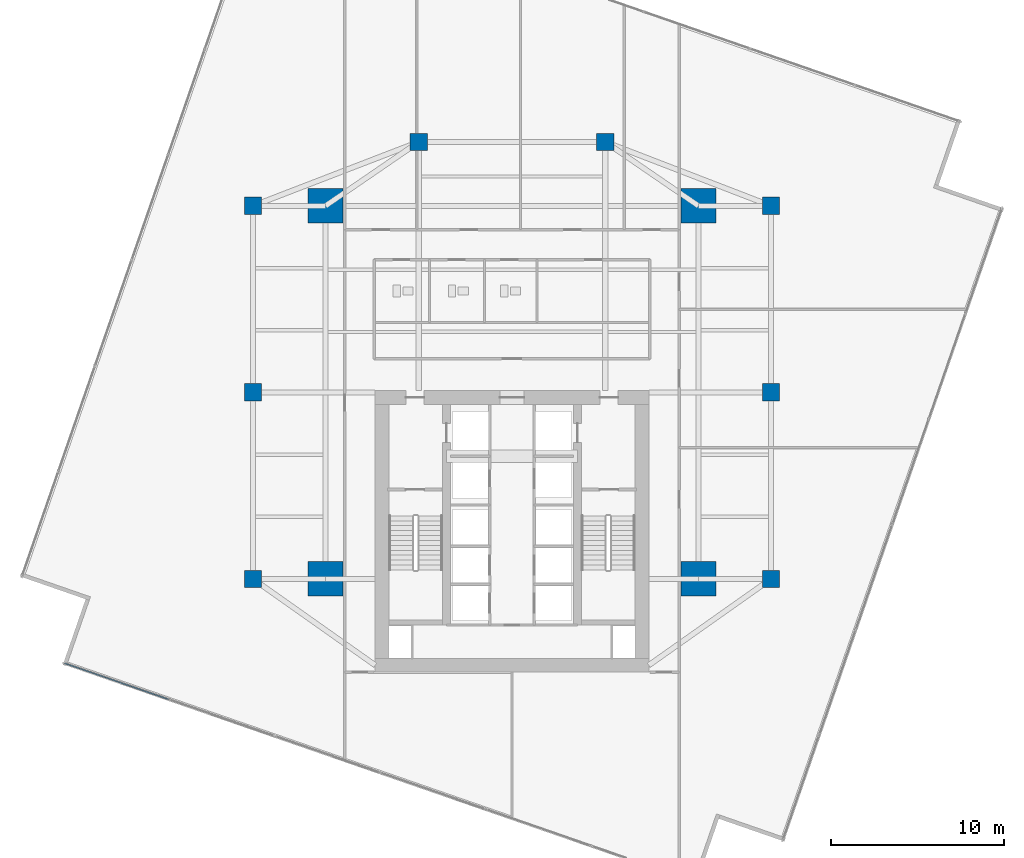
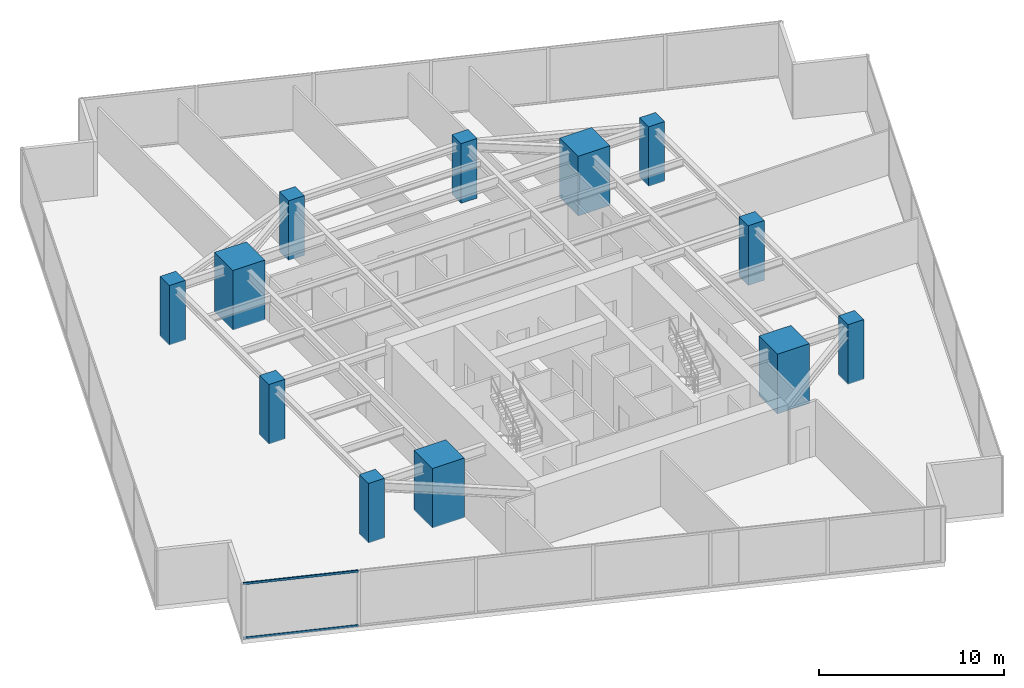
# One storey, part 1 of 28: 12 columns, 2 members, 1 element without a shape of its own.
"""IFC4 building model written with IfcOpenShell, lengths in metres."""

from ifc_helpers import new_model, si_unit, direction, frame, origin, origin_2d, place, context, subcontext, project, spatial, rectangle, hollow_rectangle, extrude, source, transform, mapped, material, material_profile, profile_set, type_object, type_shapes, element, aggregate, save


model = new_model("IFC4")

# Units and contexts
model_context = context("Model", 3, precision=1e-05, world=origin(), true_north=direction((0.0, 1.0)))
body_context = subcontext(model_context, "Body", "Model", "MODEL_VIEW")
ifc_project = project(units=[si_unit("LENGTHUNIT", "METRE"), si_unit("AREAUNIT", "SQUARE_METRE"), si_unit("VOLUMEUNIT", "CUBIC_METRE"), si_unit("PLANEANGLEUNIT", "RADIAN"), si_unit("MASSUNIT", "GRAM", prefix="KILO")], contexts=[model_context])

# Site, building, storey
site_placement = place(None, origin())
site = spatial("IfcSite", under=ifc_project, at=site_placement, CompositionType="ELEMENT")
building_placement = place(site_placement, origin())
building = spatial("IfcBuilding", under=site, at=building_placement, Name="Krantzveldt Concourse Tower", CompositionType="ELEMENT")
storey_placement = place(building_placement, frame((0.0, 0.0, 117.699951171875)))
storey = spatial("IfcBuildingStorey", under=building, at=storey_placement, Name="L28", CompositionType="ELEMENT", Elevation=117.699951171875)

# Columns
ifc_material_1 = material(Name="Concrete C60/75", Category="concrete")
ifc_material_profile_1 = material_profile(ifc_material_1, rectangle(XDim=2.0, YDim=2.0, at=origin_2d()), Name="Concrete C60/75", Category="concrete")
ifc_profile_set_1 = profile_set([ifc_material_profile_1], Name="Concrete C60/75 - RC 2000x2000")
column_type_1 = type_object("IfcColumnType", Name="COL-MC-2000", PredefinedType="USERDEFINED", material=ifc_profile_set_1)
shared_shape_1 = source(origin(), body_context, "Body", "SweptSolid", [
    extrude(rectangle(XDim=2.0, YDim=2.0, at=origin_2d()), origin(), (0.0, 0.0, 1.0), 3.949951171875),
])
type_shapes(column_type_1, [shared_shape_1])
for number, where, z_axis, x_axis, name in (
    (1, (25.199951171875, 15.89990234375, 0.0), (0.0, 0.0, 1.0), (1.0, 0.0, 0.0), "MC-SW-L28"),
    (2, (46.800048828125, 15.89990234375, 0.0), (0.0, 0.0, 1.0), (1.0, 0.0, 0.0), "MC-SE-L28"),
    (3, (46.800048828125, 37.5, 0.0), (0.0, 0.0, 1.0), (1.0, 0.0, 0.0), "MC-NE-L28"),
    (4, (25.199951171875, 37.5, 0.0), (0.0, 0.0, 1.0), (1.0, 0.0, 0.0), "MC-NW-L28"),
):
    element("IfcColumn", number, at=place(storey_placement, frame(where, z_axis=z_axis, x_axis=x_axis)), inside=storey, type_object=column_type_1, Name=name, ObjectType="MEGA COLUMN", PredefinedType="USERDEFINED", context=body_context, shape_type="MappedRepresentation", body=[
        mapped(shared_shape_1, transform((0.0, 0.0, 0.0), x_axis=(1.0, 0.0, 0.0), y_axis=(0.0, 1.0, 0.0), z_axis=(0.0, 0.0, 1.0), scale=1.0)),
    ])
ifc_material_profile_2 = material_profile(ifc_material_1, rectangle(XDim=1.0, YDim=1.0, at=origin_2d()), Name="Concrete C60/75", Category="concrete")
ifc_profile_set_2 = profile_set([ifc_material_profile_2], Name="Concrete C60/75 - RC 1000x1000")
column_type_2 = type_object("IfcColumnType", Name="COL-C-Z2", PredefinedType="COLUMN", material=ifc_profile_set_2)
shared_shape_2 = source(origin(), body_context, "Body", "SweptSolid", [
    extrude(rectangle(XDim=1.0, YDim=1.0, at=origin_2d()), origin(), (0.0, 0.0, 1.0), 3.949951171875),
])
type_shapes(column_type_2, [shared_shape_2])
for number, where, z_axis, x_axis, name in (
    (5, (21.0, 15.89990234375, 0.0), (0.0, 0.0, 1.0), (1.0, 0.0, 0.0), "PC-R01-L28"),
    (6, (21.0, 26.699951171875, 0.0), (0.0, 0.0, 1.0), (1.0, 0.0, 0.0), "PC-R02-L28"),
    (7, (21.0, 37.5, 0.0), (0.0, 0.0, 1.0), (1.0, 0.0, 0.0), "PC-R03-L28"),
    (8, (30.60009765625, 41.199951171875, 0.0), (0.0, 0.0, 1.0), (1.0, 0.0, 0.0), "PC-R04-L28"),
    (9, (41.39990234375, 41.199951171875, 0.0), (0.0, 0.0, 1.0), (1.0, 0.0, 0.0), "PC-R05-L28"),
    (10, (51.0, 37.5, 0.0), (0.0, 0.0, 1.0), (1.0, 0.0, 0.0), "PC-R06-L28"),
    (11, (51.0, 26.699951171875, 0.0), (0.0, 0.0, 1.0), (1.0, 0.0, 0.0), "PC-R07-L28"),
    (12, (51.0, 15.89990234375, 0.0), (0.0, 0.0, 1.0), (1.0, 0.0, 0.0), "PC-R08-L28"),
):
    element("IfcColumn", number, at=place(storey_placement, frame(where, z_axis=z_axis, x_axis=x_axis)), inside=storey, type_object=column_type_2, Name=name, PredefinedType="COLUMN", context=body_context, shape_type="MappedRepresentation", body=[
        mapped(shared_shape_2, transform((0.0, 0.0, 0.0), x_axis=(1.0, 0.0, 0.0), y_axis=(0.0, 1.0, 0.0), z_axis=(0.0, 0.0, 1.0), scale=1.0)),
    ])

# Curtain wall, members
ifc_material_2 = material(Name="Anodised aluminium 6063-T6", Category="aluminium")
curtain_wall_type = type_object("IfcCurtainWallType", Name="CW2", PredefinedType="USERDEFINED", material=ifc_material_2)
curtain_wall_placement = place(storey_placement, origin())
curtain_wall = element("IfcCurtainWall", 13, at=curtain_wall_placement, inside=storey, type_object=curtain_wall_type, Name="CW-L28-F04", ObjectType="UNITISED CURTAIN WALL", PredefinedType="USERDEFINED")
ifc_material_profile_3 = material_profile(ifc_material_2, hollow_rectangle(XDim=0.070068359375, YDim=0.139892578125, WallThickness=0.0048828125, at=origin_2d()), Name="Anodised aluminium 6063-T6", Category="aluminium")
ifc_profile_set_3 = profile_set([ifc_material_profile_3], Name="Anodised aluminium 6063-T6 - ALU-TRAN 140x70x5")
member_type = type_object("IfcMemberType", Name="CW-TRN-150", PredefinedType="USERDEFINED", material=ifc_profile_set_3)
shared_shape_3 = source(origin(), body_context, "Body", "SweptSolid", [
    extrude(hollow_rectangle(XDim=0.070068359375, YDim=0.139892578125, WallThickness=0.0048828125, at=origin_2d()), origin(), (0.0, 0.0, 1.0), 6.361572265625),
])
type_shapes(member_type, [shared_shape_3])
member_1_placement = place(storey_placement, frame((10.099853515625, 11.009765625, 0.03515625), z_axis=(0.944795652423, -0.327660151931, 0.0), x_axis=(0.327660151931, 0.944795652423, 0.0)))
member_1 = element("IfcMember", 14, at=member_1_placement, type_object=member_type, Name="CW-Z12 transom 1.1", ObjectType="TRANSOM", PredefinedType="USERDEFINED", context=body_context, shape_type="MappedRepresentation", body=[
    mapped(shared_shape_3, transform((0.0, 0.0, 0.0), x_axis=(1.0, 0.0, 0.0), y_axis=(0.0, 1.0, 0.0), z_axis=(0.0, 0.0, 1.0), scale=1.0)),
])
member_2_placement = place(storey_placement, frame((10.099853515625, 11.009765625, 3.635009765625), z_axis=(0.944795652423, -0.327660151931, 0.0), x_axis=(0.327660151931, 0.944795652423, 0.0)))
member_2 = element("IfcMember", 15, at=member_2_placement, type_object=member_type, Name="CW-Z12 transom 1.2", ObjectType="TRANSOM", PredefinedType="USERDEFINED", context=body_context, shape_type="MappedRepresentation", body=[
    mapped(shared_shape_3, transform((0.0, 0.0, 0.0), x_axis=(1.0, 0.0, 0.0), y_axis=(0.0, 1.0, 0.0), z_axis=(0.0, 0.0, 1.0), scale=1.0)),
])
aggregate(curtain_wall, [member_1, member_2])

save(model, "model.ifc")
